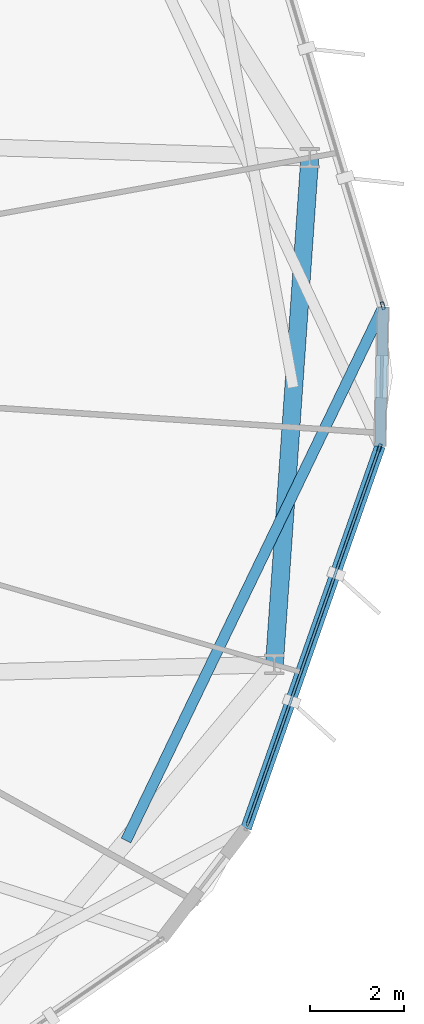
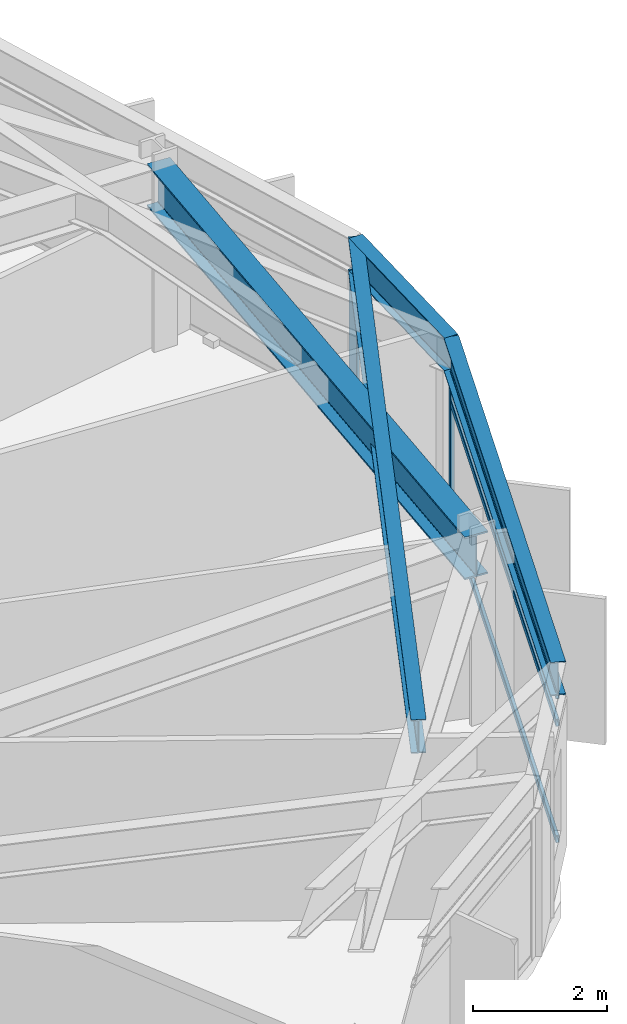
# One storey, part 9 of 22: 5 members, 4 beams, 2 elements without a shape of their own.
"""IFC4 building model written with IfcOpenShell, lengths in metres."""

from ifc_helpers import new_model, si_unit, direction, frame, origin, origin_2d, place, context, subcontext, project, spatial, hollow_rectangle, i_section, extrude, material, layer, layer_set, material_profile, profile_set, type_object, element, aggregate, save


model = new_model("IFC4")

# Units and contexts
model_context = context("Model", 3, precision=1e-05, world=origin(), true_north=direction((0.0, 1.0)))
body_context = subcontext(model_context, "Body", "Model", "MODEL_VIEW")
ifc_project = project(units=[si_unit("LENGTHUNIT", "METRE"), si_unit("AREAUNIT", "SQUARE_METRE"), si_unit("VOLUMEUNIT", "CUBIC_METRE"), si_unit("PLANEANGLEUNIT", "RADIAN"), si_unit("MASSUNIT", "GRAM", prefix="KILO")], contexts=[model_context])

# Site, building, storey
site_placement = place(None, origin())
site = spatial("IfcSite", under=ifc_project, at=site_placement, CompositionType="ELEMENT")
building_placement = place(site_placement, origin())
building = spatial("IfcBuilding", under=site, at=building_placement, Name="Soratama Intermodal Tower", CompositionType="ELEMENT")
storey_placement = place(building_placement, frame((0.0, 0.0, 160.60009765625)))
storey = spatial("IfcBuildingStorey", under=building, at=storey_placement, Name="L39", CompositionType="ELEMENT", Elevation=160.60009765625)

# Beams
ifc_material_1 = material(Name="Structural steel ASTM A992 Grade 50", Category="steel")
ifc_material_profile_1 = material_profile(ifc_material_1, i_section(OverallWidth=0.382080078125, OverallDepth=0.779052734375, WebThickness=0.01806640625, FlangeThickness=0.030029296875, FilletRadius=0.01806640625, at=origin_2d()), Name="W30X191")
ifc_profile_set_1 = profile_set([ifc_material_profile_1], Name="Structural steel ASTM A992 Grade 50")
beam_type_1 = type_object("IfcBeamType", Name="BM-RING-W30X191", PredefinedType="BEAM", material=ifc_profile_set_1)
beam_1_placement = place(storey_placement, frame((61.22607421875, 18.444091796875, 2.910400390625), z_axis=(0.069702217409, 0.99756784275, 0.0), x_axis=(-0.99756784275, 0.069702217409, 0.0)))
element("IfcBeam", 1, at=beam_1_placement, inside=storey, type_object=beam_type_1, Name="BM-L39-RING-10", PredefinedType="BEAM", context=body_context, shape_type="SweptSolid", body=[
    extrude(i_section(OverallWidth=0.382080078125, OverallDepth=0.779052734375, WebThickness=0.01806640625, FlangeThickness=0.030029296875, FilletRadius=0.01806640625, at=origin_2d()), origin(), (0.0, 0.0, 1.0), 10.816162109375),
])
ifc_material_2 = material(Name="Structural steel ASTM A992 Grade 50", Category="steel")
ifc_material_profile_2 = material_profile(ifc_material_2, i_section(OverallWidth=0.22900390625, OverallDepth=0.612060546875, WebThickness=0.011962890625, FlangeThickness=0.01953125, FilletRadius=0.012939453125, at=origin_2d()), Name="W24X84")
ifc_profile_set_2 = profile_set([ifc_material_profile_2], Name="Structural steel ASTM A992 Grade 50")
beam_type_2 = type_object("IfcBeamType", Name="BM-SPN-W24X84", PredefinedType="SPANDREL", material=ifc_profile_set_2)
beam_2_placement = place(storey_placement, frame((60.623046875, 14.955078125, 2.993896484375), z_axis=(0.330911659609, 0.943661736818, 0.0), x_axis=(-0.943661736818, 0.330911659609, 0.0)))
element("IfcBeam", 2, at=beam_2_placement, inside=storey, type_object=beam_type_2, Name="BS-L39-F09", PredefinedType="SPANDREL", context=body_context, shape_type="SweptSolid", body=[
    extrude(i_section(OverallWidth=0.22900390625, OverallDepth=0.612060546875, WebThickness=0.011962890625, FlangeThickness=0.01953125, FilletRadius=0.012939453125, at=origin_2d()), origin(), (0.0, 0.0, 1.0), 8.621826171875),
])
beam_3_placement = place(storey_placement, frame((63.47607421875, 23.091064453125, 2.993896484375), z_axis=(0.022885967291, 0.99973808195, 0.0), x_axis=(-0.99973808195, 0.022885967291, 0.0)))
element("IfcBeam", 3, at=beam_3_placement, inside=storey, type_object=beam_type_2, Name="BS-L39-CRN09", PredefinedType="SPANDREL", context=body_context, shape_type="SweptSolid", body=[
    extrude(i_section(OverallWidth=0.22900390625, OverallDepth=0.612060546875, WebThickness=0.011962890625, FlangeThickness=0.01953125, FilletRadius=0.012939453125, at=origin_2d()), origin(), (0.0, 0.0, 1.0), 2.965576171875),
])
ifc_material_3 = material(Name="Structural steel ASTM A992 Grade 50", Category="steel")
ifc_material_profile_3 = material_profile(ifc_material_3, i_section(OverallWidth=0.22900390625, OverallDepth=0.612060546875, WebThickness=0.011962890625, FlangeThickness=0.01953125, FilletRadius=0.012939453125, at=origin_2d()), Name="W24X84")
ifc_profile_set_3 = profile_set([ifc_material_profile_3], Name="Structural steel ASTM A992 Grade 50")
beam_type_3 = type_object("IfcBeamType", Name="BM-TIE-W24X84", PredefinedType="BEAM", material=ifc_profile_set_3)
beam_4_placement = place(storey_placement, frame((58.06689453125, 14.695068359375, 2.993896484375), z_axis=(0.434267211627, 0.900784096721, 0.0), x_axis=(-0.900784096721, 0.434267211627, 0.0)))
element("IfcBeam", 4, at=beam_4_placement, inside=storey, type_object=beam_type_3, Name="BM-L39-TIE0-10", PredefinedType="BEAM", context=body_context, shape_type="SweptSolid", body=[
    extrude(i_section(OverallWidth=0.22900390625, OverallDepth=0.612060546875, WebThickness=0.011962890625, FlangeThickness=0.01953125, FilletRadius=0.012939453125, at=origin_2d()), origin(), (0.0, 0.0, 1.0), 12.612060546875),
])

# Curtain wall, member
ifc_material_4 = material(Name="Double-glazed aluminium curtain wall", Category="aluminium")
ifc_layer = layer(ifc_material_4, 0.159912109375)
ifc_layer_set = layer_set([ifc_layer], Name="Double-glazed aluminium curtain wall")
curtain_wall_type = type_object("IfcCurtainWallType", Name="CW-SYS-4", PredefinedType="NOTDEFINED", material=ifc_layer_set)
curtain_wall_1_placement = place(storey_placement, origin())
curtain_wall_1 = element("IfcCurtainWall", 5, at=curtain_wall_1_placement, inside=storey, type_object=curtain_wall_type, Name="L39 Faceted Curtain Wall F09", PredefinedType="NOTDEFINED")
ifc_material_5 = material(Name="Anodised aluminium AA 6063-T6", Category="aluminium")
ifc_material_profile_4 = material_profile(ifc_material_5, hollow_rectangle(XDim=0.070068359375, YDim=0.159912109375, WallThickness=0.0048828125, InnerFilletRadius=0.0048828125, OuterFilletRadius=0.010009765625, at=origin_2d()), Name="CWM160X70X5")
ifc_profile_set_4 = profile_set([ifc_material_profile_4], Name="Anodised aluminium AA 6063-T6")
member_type_1 = type_object("IfcMemberType", Name="MT-CWM-4", PredefinedType="MULLION", material=ifc_profile_set_4)
member_1_placement = place(storey_placement, frame((63.466064453125, 23.062255859375, 0.0), z_axis=(0.0, 0.0, 1.0), x_axis=(-0.943684630386, 0.330846366721, 0.0)))
member_1 = element("IfcMember", 6, at=member_1_placement, type_object=member_type_1, Name="CW-4 mullion 2", PredefinedType="MULLION", context=body_context, shape_type="SweptSolid", body=[
    extrude(hollow_rectangle(XDim=0.070068359375, YDim=0.159912109375, WallThickness=0.0048828125, InnerFilletRadius=0.0048828125, OuterFilletRadius=0.010009765625, at=origin_2d()), origin(), (0.0, 0.0, 1.0), 2.678955078125),
])

curtain_wall_2_placement = place(storey_placement, origin())
curtain_wall_2 = element("IfcCurtainWall", 7, at=curtain_wall_2_placement, inside=storey, type_object=curtain_wall_type, Name="L39 Faceted Curtain Wall F10", PredefinedType="NOTDEFINED")
member_2_placement = place(storey_placement, frame((63.53564453125, 26.085205078125, 0.0), z_axis=(0.0, 0.0, 1.0), x_axis=(-0.957922322033, -0.287027568278, 0.0)))
member_2 = element("IfcMember", 8, at=member_2_placement, type_object=member_type_1, Name="CW-4 mullion 1", PredefinedType="MULLION", context=body_context, shape_type="SweptSolid", body=[
    extrude(hollow_rectangle(XDim=0.070068359375, YDim=0.159912109375, WallThickness=0.0048828125, InnerFilletRadius=0.0048828125, OuterFilletRadius=0.010009765625, at=origin_2d()), origin(), (0.0, 0.0, 1.0), 2.678955078125),
])
aggregate(curtain_wall_2, [member_2])

# Member
ifc_material_6 = material(Name="Anodised aluminium AA 6063-T6", Category="aluminium")
ifc_material_profile_5 = material_profile(ifc_material_6, hollow_rectangle(XDim=0.06005859375, YDim=0.1298828125, WallThickness=0.0048828125, InnerFilletRadius=0.0048828125, OuterFilletRadius=0.010009765625, at=origin_2d()), Name="CWT130X60X5")
ifc_profile_set_5 = profile_set([ifc_material_profile_5], Name="Anodised aluminium AA 6063-T6")
member_type_2 = type_object("IfcMemberType", Name="TT-CWT-2", PredefinedType="USERDEFINED", material=ifc_profile_set_5)
member_3_placement = place(storey_placement, frame((60.643310546875, 15.01123046875, 0.02978515625), z_axis=(0.330853092156, 0.943682272489, 0.0), x_axis=(-0.943682272489, 0.330853092156, 0.0)))
member_3 = element("IfcMember", 9, at=member_3_placement, type_object=member_type_2, Name="CW-4 transom 1.1", ObjectType="TRANSOM", PredefinedType="USERDEFINED", context=body_context, shape_type="SweptSolid", body=[
    extrude(hollow_rectangle(XDim=0.06005859375, YDim=0.1298828125, WallThickness=0.0048828125, InnerFilletRadius=0.0048828125, OuterFilletRadius=0.010009765625, at=origin_2d()), origin(), (0.0, 0.0, 1.0), 8.50146484375),
])

member_4_placement = place(storey_placement, frame((60.643310546875, 15.01123046875, 2.14990234375), z_axis=(0.330853092156, 0.943682272489, 0.0), x_axis=(-0.943682272489, 0.330853092156, 0.0)))
member_4 = element("IfcMember", 10, at=member_4_placement, type_object=member_type_2, Name="CW-4 transom 1.2", ObjectType="TRANSOM", PredefinedType="USERDEFINED", context=body_context, shape_type="SweptSolid", body=[
    extrude(hollow_rectangle(XDim=0.06005859375, YDim=0.1298828125, WallThickness=0.0048828125, InnerFilletRadius=0.0048828125, OuterFilletRadius=0.010009765625, at=origin_2d()), origin(), (0.0, 0.0, 1.0), 8.50146484375),
])

member_5_placement = place(storey_placement, frame((60.643310546875, 15.01123046875, 2.64892578125), z_axis=(0.330853092156, 0.943682272489, 0.0), x_axis=(-0.943682272489, 0.330853092156, 0.0)))
member_5 = element("IfcMember", 11, at=member_5_placement, type_object=member_type_2, Name="CW-4 transom 1.3", ObjectType="TRANSOM", PredefinedType="USERDEFINED", context=body_context, shape_type="SweptSolid", body=[
    extrude(hollow_rectangle(XDim=0.06005859375, YDim=0.1298828125, WallThickness=0.0048828125, InnerFilletRadius=0.0048828125, OuterFilletRadius=0.010009765625, at=origin_2d()), origin(), (0.0, 0.0, 1.0), 8.50146484375),
])

aggregate(curtain_wall_1, [member_1, member_3, member_4, member_5])

save(model, "model.ifc")
